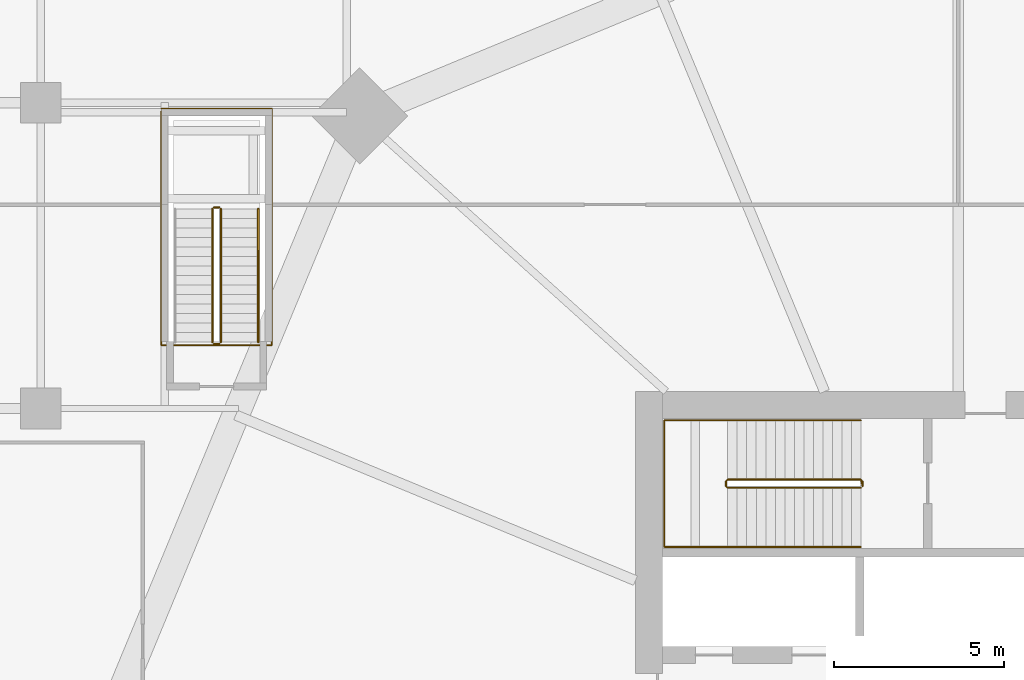
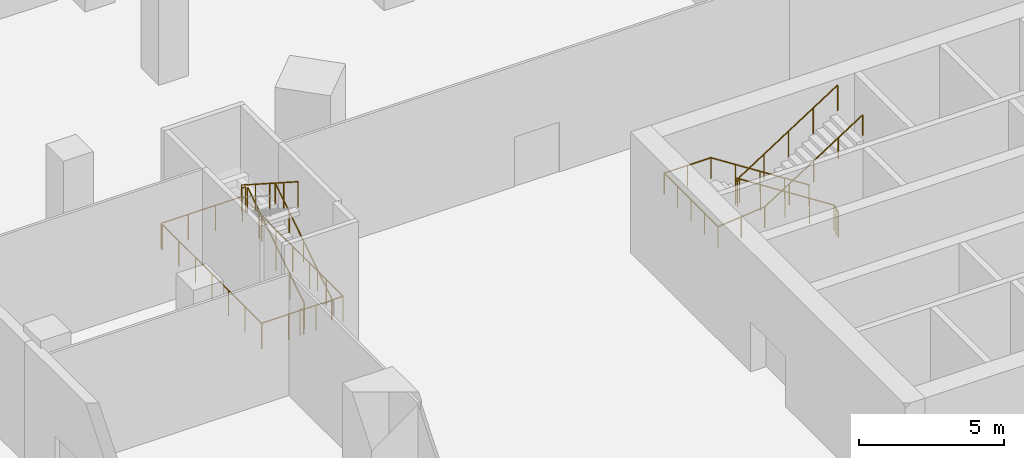
# One storey, part 15 of 20: 8 railings.
"""IFC4 building model written with IfcOpenShell, lengths in metres."""

from ifc_helpers import new_model, si_unit, direction, frame, origin, origin_2d, place, context, subcontext, project, spatial, circle, extrude, material, type_object, element, save


model = new_model("IFC4")

# Units and contexts
model_context = context("Model", 3, precision=1e-05, world=origin(), true_north=direction((0.0, 1.0)))
body_context = subcontext(model_context, "Body", "Model", "MODEL_VIEW")
ifc_project = project(units=[si_unit("LENGTHUNIT", "METRE"), si_unit("AREAUNIT", "SQUARE_METRE"), si_unit("VOLUMEUNIT", "CUBIC_METRE"), si_unit("PLANEANGLEUNIT", "RADIAN"), si_unit("MASSUNIT", "GRAM", prefix="KILO")], contexts=[model_context])

# Site, building, storey
site_placement = place(None, origin())
site = spatial("IfcSite", under=ifc_project, at=site_placement, CompositionType="ELEMENT")
building_placement = place(site_placement, origin())
building = spatial("IfcBuilding", under=site, at=building_placement, Name="Ogive Gate Towers", CompositionType="ELEMENT")
storey_placement = place(building_placement, frame((0.0, 0.0, 7.199951171875)))
storey = spatial("IfcBuildingStorey", under=building, at=storey_placement, Name="L01", CompositionType="ELEMENT", Elevation=7.199951171875)

# Railings
ifc_material_1 = material(Name="Steel and glass guard", Category="steel")
railing_type_1 = type_object("IfcRailingType", Name="Podium stair guard 1100", PredefinedType="GUARDRAIL", material=ifc_material_1)
railing_1_placement = place(storey_placement, frame((-57.699951171875, 10.949951171875, 0.179931640625)))
element("IfcRailing", 1, at=railing_1_placement, inside=storey, type_object=railing_type_1, Name="L01 PS1 stair guard 1", PredefinedType="GUARDRAIL", context=body_context, shape_type="SweptSolid", body=[
    extrude(circle(Radius=0.02392578125, at=origin_2d()), frame((0.0, 0.0, 1.076171875), z_axis=(0.0, 0.841186985886, 0.540744352514), x_axis=(-1.0, 0.0, 0.0)), (0.0, 0.0, 1.0), 4.660400390625),
    extrude(circle(Radius=0.02099609375, at=origin_2d()), origin(), (0.0, 0.0, 1.0), 1.052001953125),
    extrude(circle(Radius=0.02099609375, at=origin_2d()), frame((0.0, 0.97998046875, 0.6298828125)), (0.0, 0.0, 1.0), 1.052001953125),
    extrude(circle(Radius=0.02099609375, at=origin_2d()), frame((0.0, 1.9599609375, 1.260009765625)), (0.0, 0.0, 1.0), 1.052001953125),
    extrude(circle(Radius=0.02099609375, at=origin_2d()), frame((0.0, 2.940185546875, 1.89013671875)), (0.0, 0.0, 1.0), 1.052001953125),
    extrude(circle(Radius=0.02099609375, at=origin_2d()), frame((0.0, 3.920166015625, 2.52001953125)), (0.0, 0.0, 1.0), 1.052001953125),
])
railing_2_placement = place(storey_placement, frame((-57.75, 14.919921875, 2.699951171875)))
element("IfcRailing", 2, at=railing_2_placement, inside=storey, type_object=railing_type_1, Name="L01 PS1 stair guard 2", PredefinedType="GUARDRAIL", context=body_context, shape_type="SweptSolid", body=[
    extrude(circle(Radius=0.02392578125, at=origin_2d()), frame((0.0, 0.0, 1.076171875), z_axis=(-1.0, 0.0, 0.0), x_axis=(0.0, -1.0, 0.0)), (0.0, 0.0, 1.0), 0.14990234375),
    extrude(circle(Radius=0.02099609375, at=origin_2d()), origin(), (0.0, 0.0, 1.0), 1.052001953125),
    extrude(circle(Radius=0.02099609375, at=origin_2d()), frame((-0.14990234375, 0.0, 0.0)), (0.0, 0.0, 1.0), 1.052001953125),
])
railing_3_placement = place(storey_placement, frame((-57.949951171875, 14.8701171875, 2.880126953125)))
element("IfcRailing", 3, at=railing_3_placement, inside=storey, type_object=railing_type_1, Name="L01 PS1 stair guard 3", PredefinedType="GUARDRAIL", context=body_context, shape_type="SweptSolid", body=[
    extrude(circle(Radius=0.02392578125, at=origin_2d()), frame((0.0, 0.0, 1.076171875), z_axis=(0.0, -0.841186985886, 0.540744352514), x_axis=(1.0, 0.0, 0.0)), (0.0, 0.0, 1.0), 4.660400390625),
    extrude(circle(Radius=0.02099609375, at=origin_2d()), origin(), (0.0, 0.0, 1.0), 1.052001953125),
    extrude(circle(Radius=0.02099609375, at=origin_2d()), frame((0.0, -0.97998046875, 0.6298828125)), (0.0, 0.0, 1.0), 1.052001953125),
    extrude(circle(Radius=0.02099609375, at=origin_2d()), frame((0.0, -1.9599609375, 1.260009765625)), (0.0, 0.0, 1.0), 1.052001953125),
    extrude(circle(Radius=0.02099609375, at=origin_2d()), frame((0.0, -2.940185546875, 1.89013671875)), (0.0, 0.0, 1.0), 1.052001953125),
    extrude(circle(Radius=0.02099609375, at=origin_2d()), frame((0.0, -3.920166015625, 2.52001953125)), (0.0, 0.0, 1.0), 1.052001953125),
])
railing_4_placement = place(storey_placement, frame((-57.75, 10.89990234375, 0.0)))
element("IfcRailing", 4, at=railing_4_placement, inside=storey, type_object=railing_type_1, Name="L01 PS1 stair guard 4", PredefinedType="GUARDRAIL", context=body_context, shape_type="SweptSolid", body=[
    extrude(circle(Radius=0.02392578125, at=origin_2d()), frame((0.0, 0.0, 1.076171875), z_axis=(-1.0, 0.0, 0.0), x_axis=(0.0, -1.0, 0.0)), (0.0, 0.0, 1.0), 0.14990234375),
    extrude(circle(Radius=0.02099609375, at=origin_2d()), origin(), (0.0, 0.0, 1.0), 1.052001953125),
    extrude(circle(Radius=0.02099609375, at=origin_2d()), frame((-0.14990234375, 0.0, 0.0)), (0.0, 0.0, 1.0), 1.052001953125),
])
ifc_material_2 = material(Name="Stainless steel handrail", Category="steel")
railing_type_2 = type_object("IfcRailingType", Name="Podium stair handrail 900", PredefinedType="HANDRAIL", material=ifc_material_2)
railing_5_placement = place(storey_placement, frame((-56.60009765625, 10.949951171875, 0.179931640625)))
element("IfcRailing", 5, at=railing_5_placement, inside=storey, type_object=railing_type_2, Name="L01 PS1 stair handrail 1", PredefinedType="HANDRAIL", context=body_context, shape_type="SweptSolid", body=[
    extrude(circle(Radius=0.02392578125, at=origin_2d()), frame((0.0, 0.0, 0.8759765625), z_axis=(0.0, 0.841186985886, 0.540744352514), x_axis=(-1.0, 0.0, 0.0)), (0.0, 0.0, 1.0), 4.660400390625),
    extrude(circle(Radius=0.02099609375, at=origin_2d()), origin(), (0.0, 0.0, 1.0), 0.851806640625),
    extrude(circle(Radius=0.02099609375, at=origin_2d()), frame((0.0, 0.97998046875, 0.6298828125)), (0.0, 0.0, 1.0), 0.851806640625),
    extrude(circle(Radius=0.02099609375, at=origin_2d()), frame((0.0, 1.9599609375, 1.260009765625)), (0.0, 0.0, 1.0), 0.851806640625),
    extrude(circle(Radius=0.02099609375, at=origin_2d()), frame((0.0, 2.940185546875, 1.89013671875)), (0.0, 0.0, 1.0), 0.851806640625),
    extrude(circle(Radius=0.02099609375, at=origin_2d()), frame((0.0, 3.920166015625, 2.52001953125)), (0.0, 0.0, 1.0), 0.851806640625),
])
ifc_material_3 = material(Name="Stainless steel", Category="steel")
railing_type_3 = type_object("IfcRailingType", Name="Stair guard 1100", PredefinedType="GUARDRAIL", material=ifc_material_3)
railing_6_placement = place(storey_placement, frame((-38.81494140625, 6.860107421875, 0.0)))
element("IfcRailing", 6, at=railing_6_placement, inside=storey, type_object=railing_type_3, Name="L01 ST1 stair guard 1", PredefinedType="GUARDRAIL", context=body_context, shape_type="SweptSolid", body=[
    extrude(circle(Radius=0.02392578125, at=origin_2d()), frame((0.0, 0.0, 1.076171875), z_axis=(0.0, -1.0, 0.0), x_axis=(1.0, 0.0, 0.0)), (0.0, 0.0, 1.0), 0.14501953125),
    extrude(circle(Radius=0.02392578125, at=origin_2d()), frame((0.0, -0.14501953125, 1.076171875), z_axis=(-0.185446488196, 0.721884378442, 0.666702740491), x_axis=(-0.968551454522, -0.24881334358, 0.0)), (0.0, 0.0, 1.0), 0.269775390625),
    extrude(circle(Radius=0.02392578125, at=origin_2d()), frame((-0.050048828125, 0.0498046875, 1.255859375), z_axis=(-0.841171666519, 0.0, 0.540768182723), x_axis=(0.0, -1.0, 0.0)), (0.0, 0.0, 1.0), 4.66015625),
    extrude(circle(Radius=0.02392578125, at=origin_2d()), frame((-3.969970703125, 0.0498046875, 3.77587890625), z_axis=(-0.708833529934, -0.705375805398, 0.0), x_axis=(0.705375805398, -0.708833529934, 0.0)), (0.0, 0.0, 1.0), 0.070556640625),
    extrude(circle(Radius=0.02392578125, at=origin_2d()), frame((-4.02001953125, 0.0, 3.77587890625), z_axis=(0.0, -1.0, 0.0), x_axis=(1.0, 0.0, 0.0)), (0.0, 0.0, 1.0), 0.14501953125),
    extrude(circle(Radius=0.02392578125, at=origin_2d()), frame((-4.02001953125, -0.14501953125, 3.77587890625), z_axis=(0.258543844998, -0.258543844998, 0.930757841991), x_axis=(0.707106781187, 0.707106781187, 0.0)), (0.0, 0.0, 1.0), 0.193603515625),
    extrude(circle(Radius=0.02392578125, at=origin_2d()), frame((-3.969970703125, -0.195068359375, 3.9560546875), z_axis=(0.841171666519, 0.0, 0.540768182723), x_axis=(0.0, 1.0, 0.0)), (0.0, 0.0, 1.0), 4.66015625),
    extrude(circle(Radius=0.02099609375, at=origin_2d()), origin(), (0.0, 0.0, 1.0), 1.052001953125),
    extrude(circle(Radius=0.02099609375, at=origin_2d()), frame((0.0, -0.14501953125, 0.0)), (0.0, 0.0, 1.0), 1.052001953125),
    extrude(circle(Radius=0.02099609375, at=origin_2d()), frame((-0.050048828125, 0.0498046875, 0.179931640625)), (0.0, 0.0, 1.0), 1.052001953125),
    extrude(circle(Radius=0.02099609375, at=origin_2d()), frame((-1.030029296875, 0.0498046875, 0.81005859375)), (0.0, 0.0, 1.0), 1.052001953125),
    extrude(circle(Radius=0.02099609375, at=origin_2d()), frame((-2.010009765625, 0.0498046875, 1.43994140625)), (0.0, 0.0, 1.0), 1.052001953125),
    extrude(circle(Radius=0.02099609375, at=origin_2d()), frame((-2.989990234375, 0.0498046875, 2.06982421875)), (0.0, 0.0, 1.0), 1.052001953125),
    extrude(circle(Radius=0.02099609375, at=origin_2d()), frame((-3.969970703125, 0.0498046875, 2.699951171875)), (0.0, 0.0, 1.0), 1.052001953125),
    extrude(circle(Radius=0.02099609375, at=origin_2d()), frame((-4.02001953125, 0.0, 2.699951171875)), (0.0, 0.0, 1.0), 1.052001953125),
    extrude(circle(Radius=0.02099609375, at=origin_2d()), frame((-4.02001953125, -0.14501953125, 2.699951171875)), (0.0, 0.0, 1.0), 1.052001953125),
    extrude(circle(Radius=0.02099609375, at=origin_2d()), frame((-3.969970703125, -0.195068359375, 2.880126953125)), (0.0, 0.0, 1.0), 1.052001953125),
    extrude(circle(Radius=0.02099609375, at=origin_2d()), frame((-2.989990234375, -0.195068359375, 3.51025390625)), (0.0, 0.0, 1.0), 1.052001953125),
    extrude(circle(Radius=0.02099609375, at=origin_2d()), frame((-2.010009765625, -0.195068359375, 4.14013671875)), (0.0, 0.0, 1.0), 1.052001953125),
    extrude(circle(Radius=0.02099609375, at=origin_2d()), frame((-1.030029296875, -0.195068359375, 4.77001953125)), (0.0, 0.0, 1.0), 1.052001953125),
    extrude(circle(Radius=0.02099609375, at=origin_2d()), frame((-0.050048828125, -0.195068359375, 5.400146484375)), (0.0, 0.0, 1.0), 1.052001953125),
])
railing_type_4 = type_object("IfcRailingType", Name="Stair handrail 900", PredefinedType="HANDRAIL", material=ifc_material_3)
railing_7_placement = place(storey_placement, frame((-38.864990234375, 8.64990234375, 0.179931640625)))
element("IfcRailing", 7, at=railing_7_placement, inside=storey, type_object=railing_type_4, Name="L01 ST1 stair handrail 1", PredefinedType="HANDRAIL", context=body_context, shape_type="SweptSolid", body=[
    extrude(circle(Radius=0.02392578125, at=origin_2d()), frame((0.0, 0.0, 0.8759765625), z_axis=(-0.841171666519, 0.0, 0.540768182723), x_axis=(0.0, -1.0, 0.0)), (0.0, 0.0, 1.0), 4.66015625),
    extrude(circle(Radius=0.02392578125, at=origin_2d()), frame((-3.919921875, 0.0, 3.39599609375), z_axis=(-1.0, 0.0, 0.0), x_axis=(0.0, -1.0, 0.0)), (0.0, 0.0, 1.0), 1.864990234375),
    extrude(circle(Radius=0.02392578125, at=origin_2d()), frame((-5.784912109375, 0.0, 3.39599609375), z_axis=(0.0, -1.0, 0.0), x_axis=(1.0, 0.0, 0.0)), (0.0, 0.0, 1.0), 3.724853515625),
    extrude(circle(Radius=0.02392578125, at=origin_2d()), frame((-5.784912109375, -3.724853515625, 3.39599609375), z_axis=(0.995365716967, 0.0, 0.096161788077), x_axis=(0.0, 1.0, 0.0)), (0.0, 0.0, 1.0), 1.873779296875),
    extrude(circle(Radius=0.02392578125, at=origin_2d()), frame((-3.919921875, -3.724853515625, 3.576171875), z_axis=(0.841171666519, 0.0, 0.540768182723), x_axis=(0.0, 1.0, 0.0)), (0.0, 0.0, 1.0), 4.66015625),
    extrude(circle(Radius=0.02099609375, at=origin_2d()), origin(), (0.0, 0.0, 1.0), 0.851806640625),
    extrude(circle(Radius=0.02099609375, at=origin_2d()), frame((-0.97998046875, 0.0, 0.6298828125)), (0.0, 0.0, 1.0), 0.851806640625),
    extrude(circle(Radius=0.02099609375, at=origin_2d()), frame((-1.9599609375, 0.0, 1.260009765625)), (0.0, 0.0, 1.0), 0.851806640625),
    extrude(circle(Radius=0.02099609375, at=origin_2d()), frame((-2.93994140625, 0.0, 1.89013671875)), (0.0, 0.0, 1.0), 0.851806640625),
    extrude(circle(Radius=0.02099609375, at=origin_2d()), frame((-3.919921875, 0.0, 2.52001953125)), (0.0, 0.0, 1.0), 0.851806640625),
    extrude(circle(Radius=0.02099609375, at=origin_2d()), frame((-4.8525390625, 0.0, 2.52001953125)), (0.0, 0.0, 1.0), 0.851806640625),
    extrude(circle(Radius=0.02099609375, at=origin_2d()), frame((-5.784912109375, 0.0, 2.52001953125)), (0.0, 0.0, 1.0), 0.851806640625),
    extrude(circle(Radius=0.02099609375, at=origin_2d()), frame((-5.784912109375, -0.93115234375, 2.52001953125)), (0.0, 0.0, 1.0), 0.851806640625),
    extrude(circle(Radius=0.02099609375, at=origin_2d()), frame((-5.784912109375, -1.8623046875, 2.52001953125)), (0.0, 0.0, 1.0), 0.851806640625),
    extrude(circle(Radius=0.02099609375, at=origin_2d()), frame((-5.784912109375, -2.793701171875, 2.52001953125)), (0.0, 0.0, 1.0), 0.851806640625),
    extrude(circle(Radius=0.02099609375, at=origin_2d()), frame((-5.784912109375, -3.724853515625, 2.52001953125)), (0.0, 0.0, 1.0), 0.851806640625),
    extrude(circle(Radius=0.02099609375, at=origin_2d()), frame((-4.8525390625, -3.724853515625, 2.610107421875)), (0.0, 0.0, 1.0), 0.851806640625),
    extrude(circle(Radius=0.02099609375, at=origin_2d()), frame((-3.919921875, -3.724853515625, 2.7001953125)), (0.0, 0.0, 1.0), 0.851806640625),
    extrude(circle(Radius=0.02099609375, at=origin_2d()), frame((-2.93994140625, -3.724853515625, 3.330078125)), (0.0, 0.0, 1.0), 0.851806640625),
    extrude(circle(Radius=0.02099609375, at=origin_2d()), frame((-1.9599609375, -3.724853515625, 3.960205078125)), (0.0, 0.0, 1.0), 0.851806640625),
    extrude(circle(Radius=0.02099609375, at=origin_2d()), frame((-0.97998046875, -3.724853515625, 4.59033203125)), (0.0, 0.0, 1.0), 0.851806640625),
    extrude(circle(Radius=0.02099609375, at=origin_2d()), frame((0.0, -3.724853515625, 5.22021484375)), (0.0, 0.0, 1.0), 0.851806640625),
])
railing_type_5 = type_object("IfcRailingType", Name="Void guard 1100", PredefinedType="GUARDRAIL", material=ifc_material_1)
railing_8_placement = place(storey_placement, frame((-59.449951171875, 17.820068359375, 0.0)))
element("IfcRailing", 8, at=railing_8_placement, inside=storey, type_object=railing_type_5, Name="L01 nave guard", PredefinedType="GUARDRAIL", context=body_context, shape_type="SweptSolid", body=[
    extrude(circle(Radius=0.02392578125, at=origin_2d()), frame((0.0, 0.0, 1.076171875), z_axis=(1.0, 0.0, 0.0), x_axis=(0.0, 1.0, 0.0)), (0.0, 0.0, 1.0), 3.25),
    extrude(circle(Radius=0.02392578125, at=origin_2d()), frame((3.25, 0.0, 1.076171875), z_axis=(0.0, -1.0, 0.0), x_axis=(1.0, 0.0, 0.0)), (0.0, 0.0, 1.0), 6.955078125),
    extrude(circle(Radius=0.02392578125, at=origin_2d()), frame((3.25, -6.955078125, 1.076171875), z_axis=(-1.0, 0.0, 0.0), x_axis=(0.0, -1.0, 0.0)), (0.0, 0.0, 1.0), 3.25),
    extrude(circle(Radius=0.02392578125, at=origin_2d()), frame((0.0, -6.955078125, 1.076171875), z_axis=(0.0, 1.0, 0.0), x_axis=(-1.0, 0.0, 0.0)), (0.0, 0.0, 1.0), 6.885009765625),
    extrude(circle(Radius=0.02099609375, at=origin_2d()), origin(), (0.0, 0.0, 1.0), 1.052001953125),
    extrude(circle(Radius=0.02099609375, at=origin_2d()), frame((1.083251953125, 0.0, 0.0)), (0.0, 0.0, 1.0), 1.052001953125),
    extrude(circle(Radius=0.02099609375, at=origin_2d()), frame((2.166748046875, 0.0, 0.0)), (0.0, 0.0, 1.0), 1.052001953125),
    extrude(circle(Radius=0.02099609375, at=origin_2d()), frame((3.25, 0.0, 0.0)), (0.0, 0.0, 1.0), 1.052001953125),
    extrude(circle(Radius=0.02099609375, at=origin_2d()), frame((3.25, -1.1591796875, 0.0)), (0.0, 0.0, 1.0), 1.052001953125),
    extrude(circle(Radius=0.02099609375, at=origin_2d()), frame((3.25, -2.318359375, 0.0)), (0.0, 0.0, 1.0), 1.052001953125),
    extrude(circle(Radius=0.02099609375, at=origin_2d()), frame((3.25, -3.4775390625, 0.0)), (0.0, 0.0, 1.0), 1.052001953125),
    extrude(circle(Radius=0.02099609375, at=origin_2d()), frame((3.25, -4.63671875, 0.0)), (0.0, 0.0, 1.0), 1.052001953125),
    extrude(circle(Radius=0.02099609375, at=origin_2d()), frame((3.25, -5.7958984375, 0.0)), (0.0, 0.0, 1.0), 1.052001953125),
    extrude(circle(Radius=0.02099609375, at=origin_2d()), frame((3.25, -6.955078125, 0.0)), (0.0, 0.0, 1.0), 1.052001953125),
    extrude(circle(Radius=0.02099609375, at=origin_2d()), frame((2.166748046875, -6.955078125, 0.0)), (0.0, 0.0, 1.0), 1.052001953125),
    extrude(circle(Radius=0.02099609375, at=origin_2d()), frame((1.083251953125, -6.955078125, 0.0)), (0.0, 0.0, 1.0), 1.052001953125),
    extrude(circle(Radius=0.02099609375, at=origin_2d()), frame((0.0, -6.955078125, 0.0)), (0.0, 0.0, 1.0), 1.052001953125),
    extrude(circle(Radius=0.02099609375, at=origin_2d()), frame((0.0, -5.8076171875, 0.0)), (0.0, 0.0, 1.0), 1.052001953125),
    extrude(circle(Radius=0.02099609375, at=origin_2d()), frame((0.0, -4.66015625, 0.0)), (0.0, 0.0, 1.0), 1.052001953125),
    extrude(circle(Radius=0.02099609375, at=origin_2d()), frame((0.0, -3.5126953125, 0.0)), (0.0, 0.0, 1.0), 1.052001953125),
    extrude(circle(Radius=0.02099609375, at=origin_2d()), frame((0.0, -2.364990234375, 0.0)), (0.0, 0.0, 1.0), 1.052001953125),
    extrude(circle(Radius=0.02099609375, at=origin_2d()), frame((0.0, -1.217529296875, 0.0)), (0.0, 0.0, 1.0), 1.052001953125),
    extrude(circle(Radius=0.02099609375, at=origin_2d()), frame((0.0, -0.070068359375, 0.0)), (0.0, 0.0, 1.0), 1.052001953125),
])

save(model, "model.ifc")
